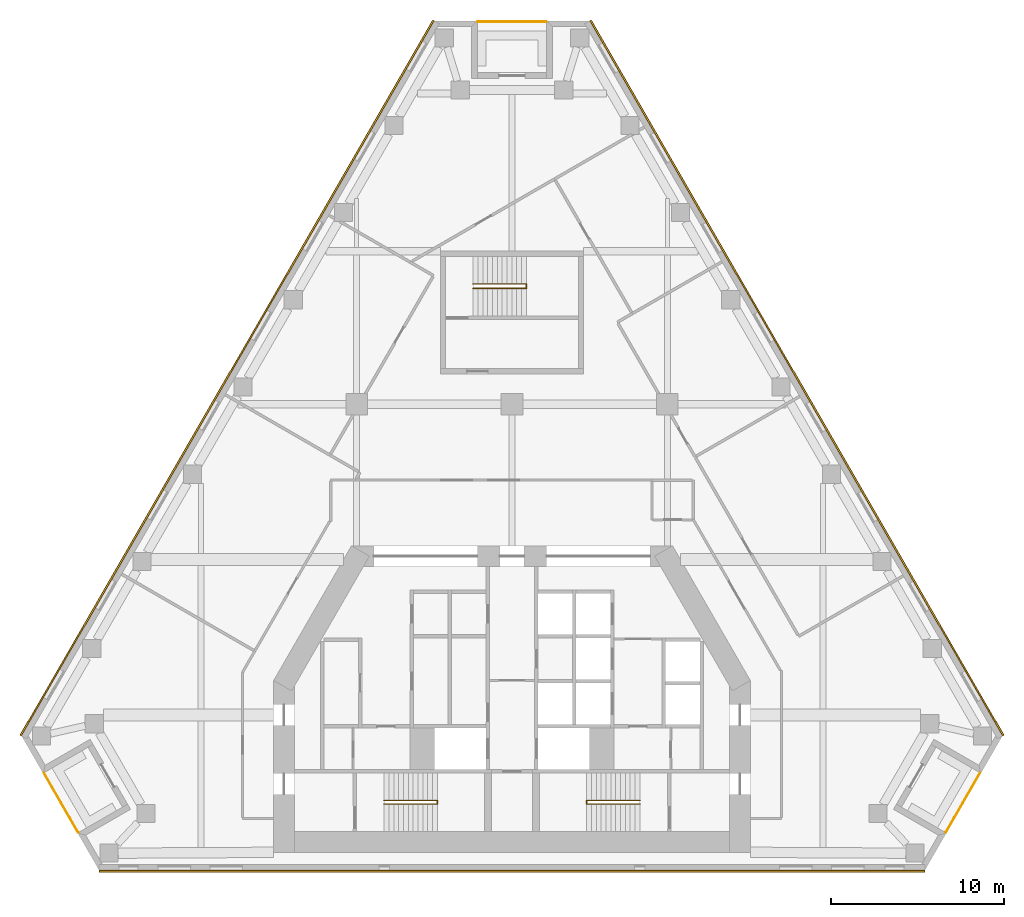
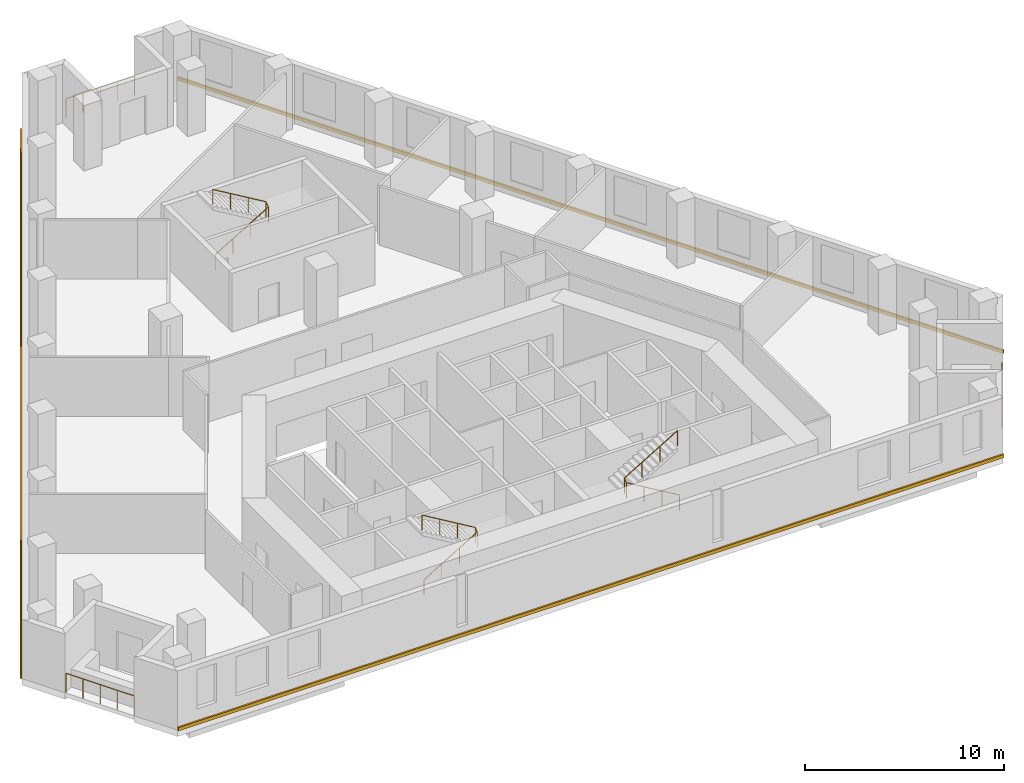
# One storey, part 7 of 7: 6 railings, 3 coverings.
"""IFC4 building model written with IfcOpenShell, lengths in metres."""

from ifc_helpers import new_model, si_unit, direction, frame, origin, origin_2d, place, context, subcontext, project, spatial, polyline, circle, outline, extrude, material, type_object, element, save


model = new_model("IFC4")

# Units and contexts
model_context = context("Model", 3, precision=1e-05, world=origin(), true_north=direction((0.0, 1.0)))
body_context = subcontext(model_context, "Body", "Model", "MODEL_VIEW")
ifc_project = project(units=[si_unit("LENGTHUNIT", "METRE"), si_unit("AREAUNIT", "SQUARE_METRE"), si_unit("VOLUMEUNIT", "CUBIC_METRE"), si_unit("PLANEANGLEUNIT", "RADIAN"), si_unit("MASSUNIT", "GRAM", prefix="KILO")], contexts=[model_context])

# Site, building, storey
site_placement = place(None, origin())
site = spatial("IfcSite", under=ifc_project, at=site_placement, CompositionType="ELEMENT")
building_placement = place(site_placement, origin())
building = spatial("IfcBuilding", under=site, at=building_placement, Name="Fogline Exchange Tower", CompositionType="ELEMENT")
storey_placement = place(building_placement, frame((0.0, 0.0, 170.89990234375)))
storey = spatial("IfcBuildingStorey", under=building, at=storey_placement, Name="L38", CompositionType="ELEMENT", Elevation=170.89990234375)

# Railings
ifc_material_1 = material(Name="Stainless steel 304", Category="steel")
railing_type_1 = type_object("IfcRailingType", Name="G1", PredefinedType="GUARDRAIL", material=ifc_material_1)
railing_1_placement = place(storey_placement, frame((-27.099853515625, 5.635986328125, 0.0)))
element("IfcRailing", 1, at=railing_1_placement, inside=storey, type_object=railing_type_1, Name="Balcony guard L38 SW", PredefinedType="GUARDRAIL", context=body_context, shape_type="SweptSolid", body=[
    extrude(circle(Radius=0.02392578125, at=origin_2d()), frame((0.0, 0.0, 1.17578125), z_axis=(0.500000102728, -0.866025344474, 0.0), x_axis=(0.866025344474, 0.500000102728, 0.0)), (0.0, 0.0, 1.0), 3.9580078125),
    extrude(circle(Radius=0.02099609375, at=origin_2d()), origin(), (0.0, 0.0, 1.0), 1.15185546875),
    extrude(circle(Radius=0.02099609375, at=origin_2d()), frame((0.49462890625, -0.85693359375, 0.0)), (0.0, 0.0, 1.0), 1.15185546875),
    extrude(circle(Radius=0.02099609375, at=origin_2d()), frame((0.989501953125, -1.7138671875, 0.0)), (0.0, 0.0, 1.0), 1.15185546875),
    extrude(circle(Radius=0.02099609375, at=origin_2d()), frame((1.484375, -2.57080078125, 0.0)), (0.0, 0.0, 1.0), 1.15185546875),
    extrude(circle(Radius=0.02099609375, at=origin_2d()), frame((1.97900390625, -3.427734375, 0.0)), (0.0, 0.0, 1.0), 1.15185546875),
])
railing_2_placement = place(storey_placement, frame((25.120849609375, 2.208251953125, 0.0)))
element("IfcRailing", 2, at=railing_2_placement, inside=storey, type_object=railing_type_1, Name="Balcony guard L38 SE", PredefinedType="GUARDRAIL", context=body_context, shape_type="SweptSolid", body=[
    extrude(circle(Radius=0.02392578125, at=origin_2d()), frame((0.0, 0.0, 1.17578125), z_axis=(0.500000102728, 0.866025344474, 0.0), x_axis=(-0.866025344474, 0.500000102728, 0.0)), (0.0, 0.0, 1.0), 3.9580078125),
    extrude(circle(Radius=0.02099609375, at=origin_2d()), origin(), (0.0, 0.0, 1.0), 1.15185546875),
    extrude(circle(Radius=0.02099609375, at=origin_2d()), frame((0.49462890625, 0.85693359375, 0.0)), (0.0, 0.0, 1.0), 1.15185546875),
    extrude(circle(Radius=0.02099609375, at=origin_2d()), frame((0.989501953125, 1.7138671875, 0.0)), (0.0, 0.0, 1.0), 1.15185546875),
    extrude(circle(Radius=0.02099609375, at=origin_2d()), frame((1.484375, 2.57080078125, 0.0)), (0.0, 0.0, 1.0), 1.15185546875),
    extrude(circle(Radius=0.02099609375, at=origin_2d()), frame((1.97900390625, 3.427734375, 0.0)), (0.0, 0.0, 1.0), 1.15185546875),
])
railing_3_placement = place(storey_placement, frame((1.97900390625, 49.146728515625, 0.0)))
element("IfcRailing", 3, at=railing_3_placement, inside=storey, type_object=railing_type_1, Name="Balcony guard L38 N", PredefinedType="GUARDRAIL", context=body_context, shape_type="SweptSolid", body=[
    extrude(circle(Radius=0.02392578125, at=origin_2d()), frame((0.0, 0.0, 1.17578125), z_axis=(-1.0, 0.0, 0.0), x_axis=(0.0, -1.0, 0.0)), (0.0, 0.0, 1.0), 3.9580078125),
    extrude(circle(Radius=0.02099609375, at=origin_2d()), origin(), (0.0, 0.0, 1.0), 1.15185546875),
    extrude(circle(Radius=0.02099609375, at=origin_2d()), frame((-0.989501953125, 0.0, 0.0)), (0.0, 0.0, 1.0), 1.15185546875),
    extrude(circle(Radius=0.02099609375, at=origin_2d()), frame((-1.97900390625, 0.0, 0.0)), (0.0, 0.0, 1.0), 1.15185546875),
    extrude(circle(Radius=0.02099609375, at=origin_2d()), frame((-2.968505859375, 0.0, 0.0)), (0.0, 0.0, 1.0), 1.15185546875),
    extrude(circle(Radius=0.02099609375, at=origin_2d()), frame((-3.9580078125, 0.0, 0.0)), (0.0, 0.0, 1.0), 1.15185546875),
])
ifc_material_2 = material(Name="Steel Q235B", Category="steel")
railing_type_2 = type_object("IfcRailingType", Name="RL-HR", PredefinedType="HANDRAIL", material=ifc_material_2)
railing_4_placement = place(storey_placement, frame((-7.39990234375, 3.85009765625, 0.166748046875)))
element("IfcRailing", 4, at=railing_4_placement, inside=storey, type_object=railing_type_2, Name="Handrail ST1", PredefinedType="HANDRAIL", context=body_context, shape_type="SweptSolid", body=[
    extrude(circle(Radius=0.02392578125, at=origin_2d()), frame((0.0, 0.0, 0.92578125), z_axis=(0.859290745958, 0.0, 0.51148745235), x_axis=(0.0, 1.0, 0.0)), (0.0, 0.0, 1.0), 3.584228515625),
    extrude(circle(Radius=0.02392578125, at=origin_2d()), frame((3.079833984375, 0.0, 2.75927734375), z_axis=(0.0, 0.767990643491, 0.640461061666), x_axis=(-1.0, 0.0, 0.0)), (0.0, 0.0, 1.0), 0.26025390625),
    extrude(circle(Radius=0.02392578125, at=origin_2d()), frame((3.079833984375, 0.199951171875, 2.92578125), z_axis=(-0.859290745958, 0.0, 0.51148745235), x_axis=(0.0, -1.0, 0.0)), (0.0, 0.0, 1.0), 3.584228515625),
    extrude(circle(Radius=0.02099609375, at=origin_2d()), origin(), (0.0, 0.0, 1.0), 0.90185546875),
    extrude(circle(Radius=0.02099609375, at=origin_2d()), frame((1.026611328125, 0.0, 0.611083984375)), (0.0, 0.0, 1.0), 0.90185546875),
    extrude(circle(Radius=0.02099609375, at=origin_2d()), frame((2.05322265625, 0.0, 1.22216796875)), (0.0, 0.0, 1.0), 0.90185546875),
    extrude(circle(Radius=0.02099609375, at=origin_2d()), frame((3.079833984375, 0.0, 1.833251953125)), (0.0, 0.0, 1.0), 0.90185546875),
    extrude(circle(Radius=0.02099609375, at=origin_2d()), frame((3.079833984375, 0.199951171875, 2.0)), (0.0, 0.0, 1.0), 0.90185546875),
    extrude(circle(Radius=0.02099609375, at=origin_2d()), frame((2.05322265625, 0.199951171875, 2.611083984375)), (0.0, 0.0, 1.0), 0.90185546875),
    extrude(circle(Radius=0.02099609375, at=origin_2d()), frame((1.026611328125, 0.199951171875, 3.22216796875)), (0.0, 0.0, 1.0), 0.90185546875),
    extrude(circle(Radius=0.02099609375, at=origin_2d()), frame((0.0, 0.199951171875, 3.833251953125)), (0.0, 0.0, 1.0), 0.90185546875),
])
railing_5_placement = place(storey_placement, frame((7.39990234375, 3.85009765625, 0.166748046875)))
element("IfcRailing", 5, at=railing_5_placement, inside=storey, type_object=railing_type_2, Name="Handrail ST2", PredefinedType="HANDRAIL", context=body_context, shape_type="SweptSolid", body=[
    extrude(circle(Radius=0.02392578125, at=origin_2d()), frame((0.0, 0.0, 0.92578125), z_axis=(-0.859290745958, 0.0, 0.51148745235), x_axis=(0.0, -1.0, 0.0)), (0.0, 0.0, 1.0), 3.584228515625),
    extrude(circle(Radius=0.02392578125, at=origin_2d()), frame((-3.079833984375, 0.0, 2.75927734375), z_axis=(0.0, 0.767990643491, 0.640461061666), x_axis=(-1.0, 0.0, 0.0)), (0.0, 0.0, 1.0), 0.26025390625),
    extrude(circle(Radius=0.02392578125, at=origin_2d()), frame((-3.079833984375, 0.199951171875, 2.92578125), z_axis=(0.859290745958, 0.0, 0.51148745235), x_axis=(0.0, 1.0, 0.0)), (0.0, 0.0, 1.0), 3.584228515625),
    extrude(circle(Radius=0.02099609375, at=origin_2d()), origin(), (0.0, 0.0, 1.0), 0.90185546875),
    extrude(circle(Radius=0.02099609375, at=origin_2d()), frame((-1.026611328125, 0.0, 0.611083984375)), (0.0, 0.0, 1.0), 0.90185546875),
    extrude(circle(Radius=0.02099609375, at=origin_2d()), frame((-2.05322265625, 0.0, 1.22216796875)), (0.0, 0.0, 1.0), 0.90185546875),
    extrude(circle(Radius=0.02099609375, at=origin_2d()), frame((-3.079833984375, 0.0, 1.833251953125)), (0.0, 0.0, 1.0), 0.90185546875),
    extrude(circle(Radius=0.02099609375, at=origin_2d()), frame((-3.079833984375, 0.199951171875, 2.0)), (0.0, 0.0, 1.0), 0.90185546875),
    extrude(circle(Radius=0.02099609375, at=origin_2d()), frame((-2.05322265625, 0.199951171875, 2.611083984375)), (0.0, 0.0, 1.0), 0.90185546875),
    extrude(circle(Radius=0.02099609375, at=origin_2d()), frame((-1.026611328125, 0.199951171875, 3.22216796875)), (0.0, 0.0, 1.0), 0.90185546875),
    extrude(circle(Radius=0.02099609375, at=origin_2d()), frame((0.0, 0.199951171875, 3.833251953125)), (0.0, 0.0, 1.0), 0.90185546875),
])
railing_6_placement = place(storey_placement, frame((-2.25, 33.70703125, 0.166748046875)))
element("IfcRailing", 6, at=railing_6_placement, inside=storey, type_object=railing_type_2, Name="Handrail ST3", PredefinedType="HANDRAIL", context=body_context, shape_type="SweptSolid", body=[
    extrude(circle(Radius=0.02392578125, at=origin_2d()), frame((0.0, 0.0, 0.92578125), z_axis=(0.859308565015, 0.0, 0.511457515432), x_axis=(0.0, 1.0, 0.0)), (0.0, 0.0, 1.0), 3.58447265625),
    extrude(circle(Radius=0.02392578125, at=origin_2d()), frame((3.080078125, 0.0, 2.75927734375), z_axis=(0.0, 0.831925284441, 0.554887665306), x_axis=(-1.0, 0.0, 0.0)), (0.0, 0.0, 1.0), 0.300537109375),
    extrude(circle(Radius=0.02392578125, at=origin_2d()), frame((3.080078125, 0.25, 2.92578125), z_axis=(-0.859308565015, 0.0, 0.511457515432), x_axis=(0.0, -1.0, 0.0)), (0.0, 0.0, 1.0), 3.58447265625),
    extrude(circle(Radius=0.02099609375, at=origin_2d()), origin(), (0.0, 0.0, 1.0), 0.90185546875),
    extrude(circle(Radius=0.02099609375, at=origin_2d()), frame((1.026611328125, 0.0, 0.611083984375)), (0.0, 0.0, 1.0), 0.90185546875),
    extrude(circle(Radius=0.02099609375, at=origin_2d()), frame((2.053466796875, 0.0, 1.22216796875)), (0.0, 0.0, 1.0), 0.90185546875),
    extrude(circle(Radius=0.02099609375, at=origin_2d()), frame((3.080078125, 0.0, 1.833251953125)), (0.0, 0.0, 1.0), 0.90185546875),
    extrude(circle(Radius=0.02099609375, at=origin_2d()), frame((3.080078125, 0.25, 2.0)), (0.0, 0.0, 1.0), 0.90185546875),
    extrude(circle(Radius=0.02099609375, at=origin_2d()), frame((2.053466796875, 0.25, 2.611083984375)), (0.0, 0.0, 1.0), 0.90185546875),
    extrude(circle(Radius=0.02099609375, at=origin_2d()), frame((1.026611328125, 0.25, 3.22216796875)), (0.0, 0.0, 1.0), 0.90185546875),
    extrude(circle(Radius=0.02099609375, at=origin_2d()), frame((0.0, 0.25, 3.833251953125)), (0.0, 0.0, 1.0), 0.90185546875),
])

# Coverings
ifc_material_3 = material(Name="Brick masonry", Category="masonry")
covering_type = type_object("IfcCoveringType", Name="SB1", PredefinedType="CLADDING", material=ifc_material_3)
covering_1_placement = place(storey_placement, origin())
element("IfcCovering", 7, at=covering_1_placement, inside=storey, type_object=covering_type, Name="Stringcourse band L38 S", PredefinedType="CLADDING", context=body_context, shape_type="SweptSolid", body=[
    extrude(outline(polyline([(-23.90380859375, 0.0), (-23.90380859375, -0.10009765625), (23.90380859375, -0.10009765625), (23.90380859375, 0.0), (-23.90380859375, 0.0)])), origin(), (0.0, 0.0, 1.0), 0.2001953125),
])
covering_2_placement = place(storey_placement, origin())
element("IfcCovering", 8, at=covering_2_placement, inside=storey, type_object=covering_type, Name="Stringcourse band L38 E", PredefinedType="CLADDING", context=body_context, shape_type="SweptSolid", body=[
    extrude(outline(polyline([(28.40380859375, 7.794189453125), (28.490234375, 7.84423828125), (4.586669921875, 49.24658203125), (4.5, 49.19677734375), (28.40380859375, 7.794189453125)])), origin(), (0.0, 0.0, 1.0), 0.2001953125),
])
covering_3_placement = place(storey_placement, origin())
element("IfcCovering", 9, at=covering_3_placement, inside=storey, type_object=covering_type, Name="Stringcourse band L38 W", PredefinedType="CLADDING", context=body_context, shape_type="SweptSolid", body=[
    extrude(outline(polyline([(-4.5, 49.19677734375), (-4.586669921875, 49.24658203125), (-28.490234375, 7.84423828125), (-28.40380859375, 7.794189453125), (-4.5, 49.19677734375)])), origin(), (0.0, 0.0, 1.0), 0.2001953125),
])

save(model, "model.ifc")
